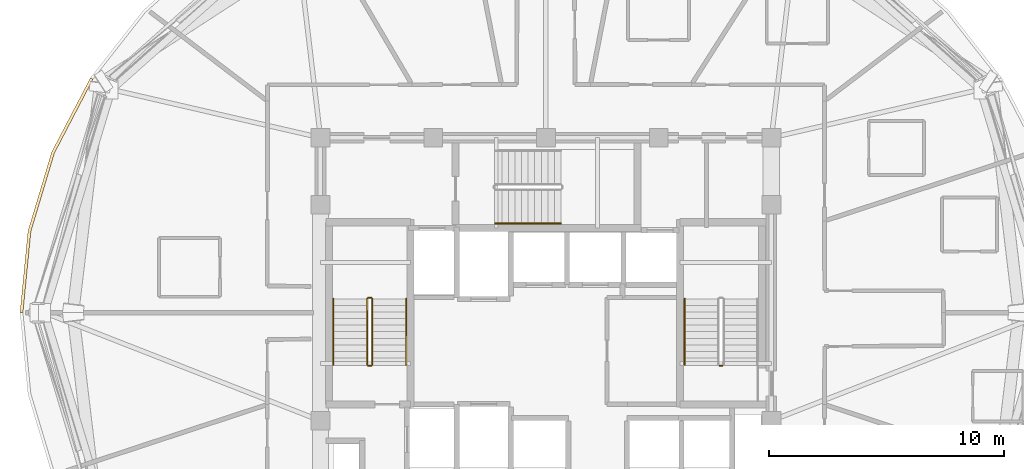
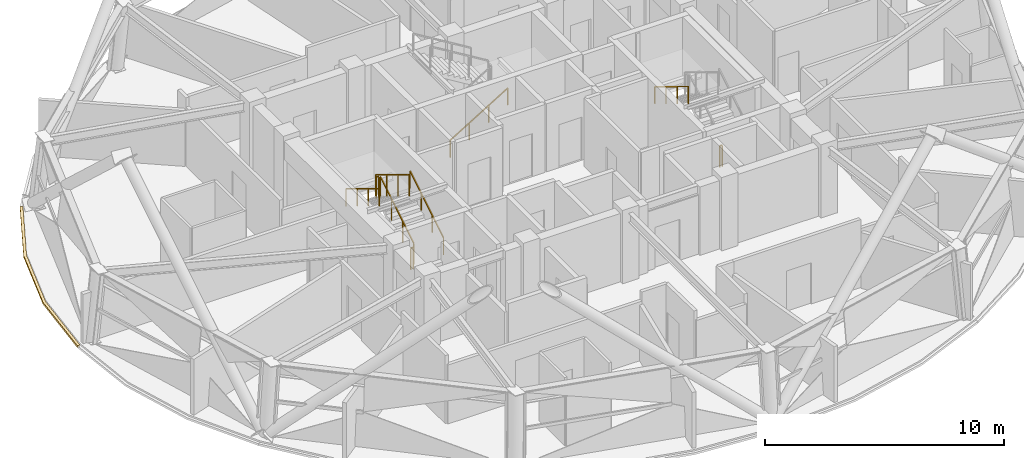
# One storey, part 10 of 12: 9 railings, 1 covering.
"""IFC4 building model written with IfcOpenShell, lengths in metres."""

from ifc_helpers import new_model, si_unit, direction, frame, origin, origin_2d, place, context, subcontext, project, spatial, polyline, rectangle, outline, extrude, material, layer, layer_set, type_object, element, save


model = new_model("IFC4")

# Units and contexts
model_context = context("Model", 3, precision=1e-05, world=origin(), true_north=direction((0.0, 1.0)))
body_context = subcontext(model_context, "Body", "Model", "MODEL_VIEW")
ifc_project = project(units=[si_unit("LENGTHUNIT", "METRE"), si_unit("AREAUNIT", "SQUARE_METRE"), si_unit("VOLUMEUNIT", "CUBIC_METRE"), si_unit("PLANEANGLEUNIT", "RADIAN"), si_unit("MASSUNIT", "GRAM", prefix="KILO")], contexts=[model_context])

# Site, building, storey
site_placement = place(None, origin())
site = spatial("IfcSite", under=ifc_project, at=site_placement, CompositionType="ELEMENT")
building_placement = place(site_placement, origin())
building = spatial("IfcBuilding", under=site, at=building_placement, Name="Vantalir Tower", CompositionType="ELEMENT")
storey_placement = place(building_placement, frame((0.0, 0.0, 249.89990234375)))
storey = spatial("IfcBuildingStorey", under=building, at=storey_placement, Name="L63", CompositionType="ELEMENT", Elevation=249.89990234375)

# Covering
ifc_material_1 = material(Name="Anodised champagne aluminium sill fascia", Category="aluminium")
ifc_layer = layer(ifc_material_1, 0.125)
ifc_layer_set = layer_set([ifc_layer], Name="Anodised champagne aluminium sill fascia")
covering_type = type_object("IfcCoveringType", Name="COV-SLAB-FASCIA-125", PredefinedType="CLADDING", material=ifc_layer_set)
covering_placement = place(storey_placement, frame((0.0, 0.0, -0.179931640625)))
element("IfcCovering", 1, at=covering_placement, inside=storey, type_object=covering_type, Name="L63 Perimeter Slab-Edge Sill Fascia 06", PredefinedType="CLADDING", context=body_context, shape_type="SweptSolid", body=[
    extrude(outline(polyline([(12.10693359375, 35.00390625), (10.45703125, 31.843017578125), (9.447021484375, 28.47412109375), (9.10693359375, 25.0), (9.23193359375, 25.0), (9.570068359375, 28.452880859375), (10.574951171875, 31.800048828125), (12.215087890625, 34.94091796875), (12.10693359375, 35.00390625)])), origin(), (0.0, 0.0, 1.0), 0.10498046875),
])

# Railings
ifc_material_2 = material(Name="Anodised aluminium and stainless steel guard", Category="steel")
railing_type_1 = type_object("IfcRailingType", Name="RAL-GUARD-1120", PredefinedType="GUARDRAIL", material=ifc_material_2)
railing_1_placement = place(storey_placement, frame((24.110107421875, 22.7900390625, 0.170654296875)))
element("IfcRailing", 2, at=railing_1_placement, inside=storey, type_object=railing_type_1, Name="L63 ST1 stair guard 1", PredefinedType="GUARDRAIL", context=body_context, shape_type="SweptSolid", body=[
    extrude(rectangle(XDim=0.048095703125, YDim=0.048095703125, at=origin_2d()), frame((0.0, 0.0, 1.09619140625), z_axis=(0.0, 0.854202870247, 0.519939858505), x_axis=(-1.0, 0.0, 0.0)), (0.0, 0.0, 1.0), 3.278076171875),
    extrude(rectangle(XDim=0.0419921875, YDim=0.0419921875, at=origin_2d()), origin(), (0.0, 0.0, 1.0), 1.072021484375),
    extrude(rectangle(XDim=0.0419921875, YDim=0.0419921875, at=origin_2d()), frame((0.0, 0.933349609375, 0.568115234375)), (0.0, 0.0, 1.0), 1.072021484375),
    extrude(rectangle(XDim=0.0419921875, YDim=0.0419921875, at=origin_2d()), frame((0.0, 1.86669921875, 1.13623046875)), (0.0, 0.0, 1.0), 1.072021484375),
    extrude(rectangle(XDim=0.0419921875, YDim=0.0419921875, at=origin_2d()), frame((0.0, 2.800048828125, 1.704345703125)), (0.0, 0.0, 1.0), 1.072021484375),
])
railing_2_placement = place(storey_placement, frame((24.06005859375, 25.639892578125, 1.875)))
element("IfcRailing", 3, at=railing_2_placement, inside=storey, type_object=railing_type_1, Name="L63 ST1 stair guard 2", PredefinedType="GUARDRAIL", context=body_context, shape_type="SweptSolid", body=[
    extrude(rectangle(XDim=0.048095703125, YDim=0.048095703125, at=origin_2d()), frame((0.0, 0.0, 1.09619140625), z_axis=(-1.0, 0.0, 0.0), x_axis=(0.0, -1.0, 0.0)), (0.0, 0.0, 1.0), 0.1201171875),
    extrude(rectangle(XDim=0.0419921875, YDim=0.0419921875, at=origin_2d()), origin(), (0.0, 0.0, 1.0), 1.072021484375),
    extrude(rectangle(XDim=0.0419921875, YDim=0.0419921875, at=origin_2d()), frame((-0.1201171875, 0.0, 0.0)), (0.0, 0.0, 1.0), 1.072021484375),
])
railing_3_placement = place(storey_placement, frame((23.889892578125, 25.590087890625, 2.045654296875)))
element("IfcRailing", 4, at=railing_3_placement, inside=storey, type_object=railing_type_1, Name="L63 ST1 stair guard 3", PredefinedType="GUARDRAIL", context=body_context, shape_type="SweptSolid", body=[
    extrude(rectangle(XDim=0.048095703125, YDim=0.048095703125, at=origin_2d()), frame((0.0, 0.0, 1.09619140625), z_axis=(0.0, -0.854202870247, 0.519939858505), x_axis=(1.0, 0.0, 0.0)), (0.0, 0.0, 1.0), 3.278076171875),
    extrude(rectangle(XDim=0.0419921875, YDim=0.0419921875, at=origin_2d()), origin(), (0.0, 0.0, 1.0), 1.072021484375),
    extrude(rectangle(XDim=0.0419921875, YDim=0.0419921875, at=origin_2d()), frame((0.0, -0.933349609375, 0.568115234375)), (0.0, 0.0, 1.0), 1.072021484375),
    extrude(rectangle(XDim=0.0419921875, YDim=0.0419921875, at=origin_2d()), frame((0.0, -1.86669921875, 1.13623046875)), (0.0, 0.0, 1.0), 1.072021484375),
    extrude(rectangle(XDim=0.0419921875, YDim=0.0419921875, at=origin_2d()), frame((0.0, -2.800048828125, 1.704345703125)), (0.0, 0.0, 1.0), 1.072021484375),
])
for number, where, name in (
    (5, (24.06005859375, 22.739990234375, 0.0), "L63 ST1 stair guard 4"),
    (6, (39.010009765625, 22.739990234375, 0.0), "L63 ST2 stair guard 4"),
):
    element("IfcRailing", number, at=place(storey_placement, frame(where)), inside=storey, type_object=railing_type_1, Name=name, PredefinedType="GUARDRAIL", context=body_context, shape_type="SweptSolid", body=[
        extrude(rectangle(XDim=0.048095703125, YDim=0.048095703125, at=origin_2d()), frame((0.0, 0.0, 1.09619140625), z_axis=(-1.0, 0.0, 0.0), x_axis=(0.0, -1.0, 0.0)), (0.0, 0.0, 1.0), 0.1201171875),
        extrude(rectangle(XDim=0.0419921875, YDim=0.0419921875, at=origin_2d()), origin(), (0.0, 0.0, 1.0), 1.072021484375),
        extrude(rectangle(XDim=0.0419921875, YDim=0.0419921875, at=origin_2d()), frame((-0.1201171875, 0.0, 0.0)), (0.0, 0.0, 1.0), 1.072021484375),
    ])
ifc_material_3 = material(Name="Brushed stainless steel tubular handrail", Category="steel")
railing_type_2 = type_object("IfcRailingType", Name="RAL-HANDRAIL-900", PredefinedType="HANDRAIL", material=ifc_material_3)
railing_4_placement = place(storey_placement, frame((25.550048828125, 22.7900390625, 0.170654296875)))
element("IfcRailing", 7, at=railing_4_placement, inside=storey, type_object=railing_type_2, Name="L63 ST1 stair handrail 1", PredefinedType="HANDRAIL", context=body_context, shape_type="SweptSolid", body=[
    extrude(rectangle(XDim=0.048095703125, YDim=0.048095703125, at=origin_2d()), frame((0.0, 0.0, 0.8759765625), z_axis=(0.0, 0.854202870247, 0.519939858505), x_axis=(-1.0, 0.0, 0.0)), (0.0, 0.0, 1.0), 3.278076171875),
    extrude(rectangle(XDim=0.0419921875, YDim=0.0419921875, at=origin_2d()), origin(), (0.0, 0.0, 1.0), 0.851806640625),
    extrude(rectangle(XDim=0.0419921875, YDim=0.0419921875, at=origin_2d()), frame((0.0, 0.933349609375, 0.568115234375)), (0.0, 0.0, 1.0), 0.851806640625),
    extrude(rectangle(XDim=0.0419921875, YDim=0.0419921875, at=origin_2d()), frame((0.0, 1.86669921875, 1.13623046875)), (0.0, 0.0, 1.0), 0.851806640625),
    extrude(rectangle(XDim=0.0419921875, YDim=0.0419921875, at=origin_2d()), frame((0.0, 2.800048828125, 1.704345703125)), (0.0, 0.0, 1.0), 0.851806640625),
])
for number, where, name in (
    (8, (22.449951171875, 25.590087890625, 2.045654296875), "L63 ST1 stair handrail 2"),
    (9, (37.39990234375, 25.590087890625, 2.045654296875), "L63 ST2 stair handrail 2"),
):
    element("IfcRailing", number, at=place(storey_placement, frame(where)), inside=storey, type_object=railing_type_2, Name=name, PredefinedType="HANDRAIL", context=body_context, shape_type="SweptSolid", body=[
        extrude(rectangle(XDim=0.048095703125, YDim=0.048095703125, at=origin_2d()), frame((0.0, 0.0, 0.8759765625), z_axis=(0.0, -0.854202870247, 0.519939858505), x_axis=(1.0, 0.0, 0.0)), (0.0, 0.0, 1.0), 3.278076171875),
        extrude(rectangle(XDim=0.0419921875, YDim=0.0419921875, at=origin_2d()), origin(), (0.0, 0.0, 1.0), 0.851806640625),
        extrude(rectangle(XDim=0.0419921875, YDim=0.0419921875, at=origin_2d()), frame((0.0, -0.933349609375, 0.568115234375)), (0.0, 0.0, 1.0), 0.851806640625),
        extrude(rectangle(XDim=0.0419921875, YDim=0.0419921875, at=origin_2d()), frame((0.0, -1.86669921875, 1.13623046875)), (0.0, 0.0, 1.0), 0.851806640625),
        extrude(rectangle(XDim=0.0419921875, YDim=0.0419921875, at=origin_2d()), frame((0.0, -2.800048828125, 1.704345703125)), (0.0, 0.0, 1.0), 0.851806640625),
    ])
railing_5_placement = place(storey_placement, frame((29.340087890625, 28.800048828125, 0.170654296875)))
element("IfcRailing", 10, at=railing_5_placement, inside=storey, type_object=railing_type_2, Name="L63 ST3 stair handrail 1", PredefinedType="HANDRAIL", context=body_context, shape_type="SweptSolid", body=[
    extrude(rectangle(XDim=0.048095703125, YDim=0.048095703125, at=origin_2d()), frame((0.0, 0.0, 0.8759765625), z_axis=(0.854182733786, 0.0, 0.519972939009), x_axis=(0.0, 1.0, 0.0)), (0.0, 0.0, 1.0), 3.27783203125),
    extrude(rectangle(XDim=0.0419921875, YDim=0.0419921875, at=origin_2d()), origin(), (0.0, 0.0, 1.0), 0.851806640625),
    extrude(rectangle(XDim=0.0419921875, YDim=0.0419921875, at=origin_2d()), frame((0.933349609375, 0.0, 0.568115234375)), (0.0, 0.0, 1.0), 0.851806640625),
    extrude(rectangle(XDim=0.0419921875, YDim=0.0419921875, at=origin_2d()), frame((1.866455078125, 0.0, 1.13623046875)), (0.0, 0.0, 1.0), 0.851806640625),
    extrude(rectangle(XDim=0.0419921875, YDim=0.0419921875, at=origin_2d()), frame((2.7998046875, 0.0, 1.704345703125)), (0.0, 0.0, 1.0), 0.851806640625),
])

save(model, "model.ifc")
